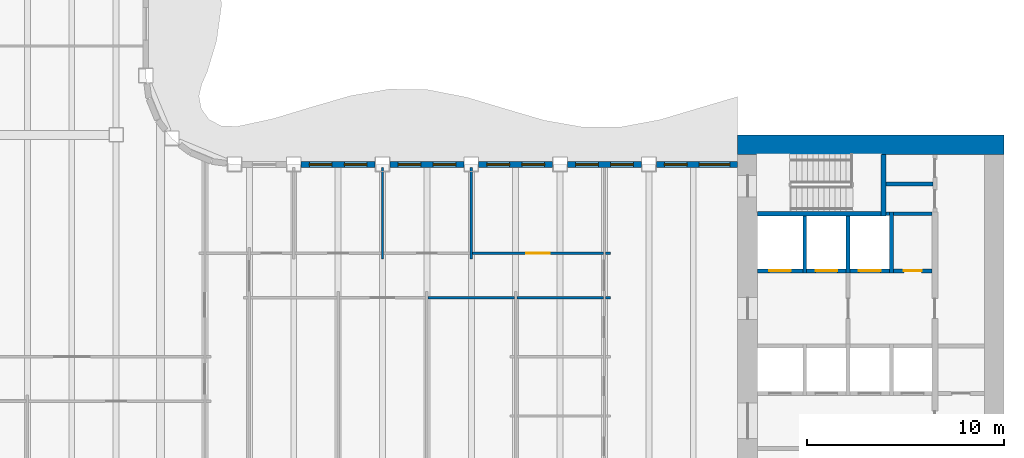
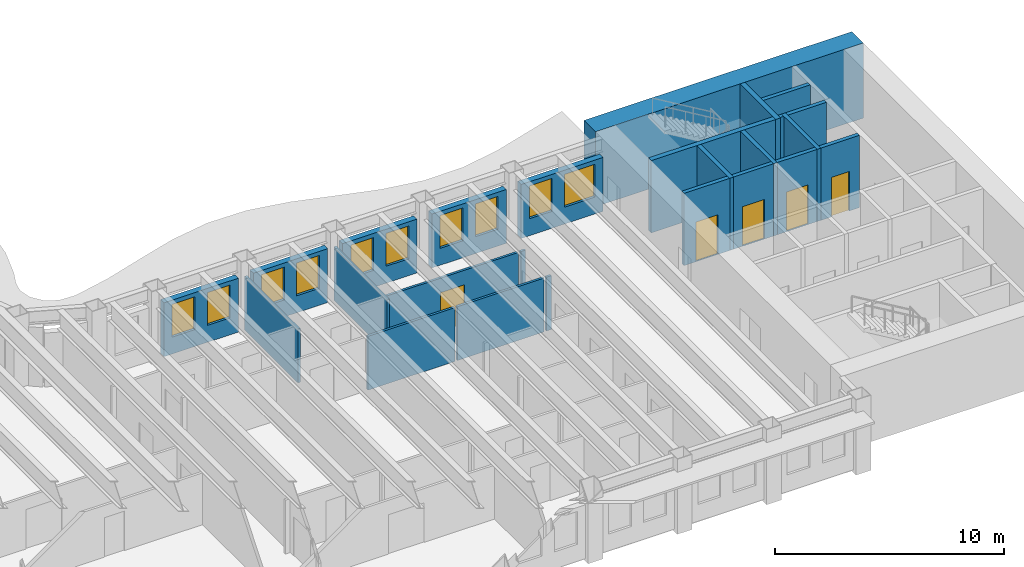
# One storey, part 7 of 16: 25 walls, 10 windows, 5 doors, 15 openings.
"""IFC4 building model written with IfcOpenShell, lengths in metres."""

import ifcopenshell
import ifcopenshell.guid

model = None  # the IFC model being written
_history = None  # IfcOwnerHistory: only IFC2X3 demands one
_inside = {}  # id of a spatial element -> (the spatial element, [elements in it])
_under = {}  # id of a project, library or spatial element -> (it, [spatial elements below it])
_declared = {}  # id of a project -> (the project, [libraries it declares])
_typed = {}  # id of a type object -> (the type object, [elements of that type])
_made_of = {}  # id of a material, layer set ... -> (it, [elements and type objects made of it])


def new_model(schema):
    """Start an empty IFC model of exactly this schema.

    Asked for "IFC4X3", IfcOpenShell would pick the latest addendum, in which some entities
    have other attributes; the version numbers below select the first issue.
    IFC2X3 requires an IfcOwnerHistory on every rooted entity: one is made here for all.
    """
    global model, _history
    if schema == "IFC4X3":
        model = ifcopenshell.file(schema_version=(4, 3, 0, 0))
    else:
        model = ifcopenshell.file(schema=schema)
    _inside.clear()
    _under.clear()
    _declared.clear()
    _typed.clear()
    _made_of.clear()
    _history = None
    if model.schema == "IFC2X3":
        org = make("IfcOrganization", Name="unknown")
        user = make(
            "IfcPersonAndOrganization",
            ThePerson=make("IfcPerson", FamilyName="unknown"),
            TheOrganization=org,
        )
        app = make(
            "IfcApplication",
            ApplicationDeveloper=org,
            Version="unknown",
            ApplicationFullName="unknown",
            ApplicationIdentifier="unknown",
        )
        _history = make(
            "IfcOwnerHistory",
            OwningUser=user,
            OwningApplication=app,
            ChangeAction="ADDED",
            CreationDate=0,
        )
    return model


def make(cls, **values):
    """One entity of the class cls with the attributes given. An attribute that is None is left unset."""
    return model.create_entity(
        cls, **{name: value for name, value in values.items() if value is not None}
    )


def rooted(cls, **values):
    """An entity with a GlobalId (a new one), such as an element, a storey or a relation."""
    return make(cls, GlobalId=ifcopenshell.guid.new(), OwnerHistory=_history, **values)


def si_unit(unit_type, name, prefix=None):
    """IfcSIUnit, for example si_unit("LENGTHUNIT", "METRE", prefix="MILLI")."""
    return make("IfcSIUnit", UnitType=unit_type, Prefix=prefix, Name=name)


def assignment(units):
    """IfcUnitAssignment: the units of a project."""
    return None if units is None else make("IfcUnitAssignment", Units=units)


def point(xyz):
    """IfcCartesianPoint."""
    return None if xyz is None else make("IfcCartesianPoint", Coordinates=xyz)


def direction(xyz):
    """IfcDirection."""
    return None if xyz is None else make("IfcDirection", DirectionRatios=xyz)


def frame(location, z_axis=None, x_axis=None):
    """IfcAxis2Placement3D, a coordinate frame: its origin and axes. An axis left out is left unset."""
    return make(
        "IfcAxis2Placement3D",
        Location=point(location),
        Axis=direction(z_axis),
        RefDirection=direction(x_axis),
    )


def frame_2d(location, x_axis=None):
    """IfcAxis2Placement2D, a coordinate frame in the plane: its origin and x axis."""
    return make(
        "IfcAxis2Placement2D", Location=point(location), RefDirection=direction(x_axis)
    )


def origin():
    """The frame at (0, 0, 0) with its axes left unset."""
    return frame((0.0, 0.0, 0.0))


def place(relative_to, where):
    """IfcLocalPlacement: puts the frame where relative to a parent placement (None: the world)."""
    return make(
        "IfcLocalPlacement", PlacementRelTo=relative_to, RelativePlacement=where
    )


def context(
    kind, dimensions, precision=None, world=None, true_north=None, identifier=None
):
    """IfcGeometricRepresentationContext, for example the 3D "Model" context."""
    return make(
        "IfcGeometricRepresentationContext",
        ContextIdentifier=identifier,
        ContextType=kind,
        CoordinateSpaceDimension=dimensions,
        Precision=precision,
        WorldCoordinateSystem=world,
        TrueNorth=true_north,
    )


def subcontext(parent, identifier, kind, view, scale=None):
    """IfcGeometricRepresentationSubContext, for example "Body" below "Model"."""
    return make(
        "IfcGeometricRepresentationSubContext",
        ContextIdentifier=identifier,
        ContextType=kind,
        ParentContext=parent,
        TargetScale=scale,
        TargetView=view,
    )


def project(units=None, contexts=None):
    """IfcProject with its units and contexts."""
    return rooted(
        "IfcProject",
        Name="project",
        RepresentationContexts=contexts,
        UnitsInContext=assignment(units),
    )


def spatial(cls, under=None, at=None, **own):
    """A site, building, storey or space (cls), placed at a placement, below another one or the project."""
    s = rooted(cls, ObjectPlacement=at, **own)
    if under is not None:
        _under.setdefault(under.id(), (under, []))[1].append(s)
    return s


def profile(cls, at=None, kind="AREA", **sizes):
    """A parametric profile (cls). Its sizes go by their IFC names, for example OverallWidth=200.0."""
    return make(cls, ProfileType=kind, Position=at, **sizes)


def rectangle(**sizes):
    """IfcRectangleProfileDef."""
    return profile("IfcRectangleProfileDef", **sizes)


def extrude(swept, where, along, depth):
    """IfcExtrudedAreaSolid: the profile swept, set in the frame where, extruded along a direction by depth."""
    return make(
        "IfcExtrudedAreaSolid",
        SweptArea=swept,
        Position=where,
        ExtrudedDirection=direction(along),
        Depth=depth,
    )


def shape(context_of_items, identifier, shape_type, items):
    """IfcShapeRepresentation: the items that make up one representation, for example the "Body"."""
    return make(
        "IfcShapeRepresentation",
        ContextOfItems=context_of_items,
        RepresentationIdentifier=identifier,
        RepresentationType=shape_type,
        Items=items,
    )


def material(Name=None, Category=None):
    """IfcMaterial."""
    return make("IfcMaterial", Name=Name, Category=Category)


def layer(
    of_material, thickness, ventilated=None, Name=None, Category=None, Priority=None
):
    """IfcMaterialLayer: one layer of a wall or slab, of a material (None: an air gap)."""
    return make(
        "IfcMaterialLayer",
        Material=of_material,
        LayerThickness=thickness,
        IsVentilated=ventilated,
        Name=Name,
        Category=Category,
        Priority=Priority,
    )


def layer_set(layers, Name=None):
    """IfcMaterialLayerSet."""
    return make("IfcMaterialLayerSet", MaterialLayers=layers, LayerSetName=Name)


def made_of(thing, what):
    """Note that an element or type object is made of a material, layer set ...; save() writes the relation."""
    if what is not None:
        _made_of.setdefault(what.id(), (what, []))[1].append(thing)
    return thing


def type_object(cls, material=None, **own):
    """A type object (cls), such as IfcWallType, which elements share."""
    return made_of(rooted(cls, **own), material)


def element(
    cls,
    number,
    at=None,
    inside=None,
    cuts=None,
    type_object=None,
    material=None,
    context=None,
    identifier="Body",
    shape_type=None,
    held_by="IfcProductDefinitionShape",
    body=None,
    shapes=None,
    **own,
):
    """One element of the class cls, such as IfcWall. Its Tag is "e" and its number.

    at: its placement. inside: the storey or other place that contains it. cuts: it is an
    opening in that element (IfcRelVoidsElement). A single representation is given by context,
    identifier, shape_type and body (its items); several are given by shapes. held_by: the class
    of the entity that holds the representations. save() writes the other relations.
    """
    e = rooted(cls, Tag="e%d" % number, ObjectPlacement=at, **own)
    if body is not None:
        shapes = [shape(context, identifier, shape_type, body)]
    if shapes is not None:
        e.Representation = make(held_by, Representations=shapes)
    if inside is not None:
        _inside.setdefault(inside.id(), (inside, []))[1].append(e)
    if cuts is not None:
        rooted(
            "IfcRelVoidsElement", RelatingBuildingElement=cuts, RelatedOpeningElement=e
        )
    if type_object is not None:
        _typed.setdefault(type_object.id(), (type_object, []))[1].append(e)
    return made_of(e, material)


def fill(opening, filler):
    """IfcRelFillsElement: the door or window that sits in an opening."""
    return rooted(
        "IfcRelFillsElement",
        RelatingOpeningElement=opening,
        RelatedBuildingElement=filler,
    )


def aggregate(whole, parts):
    """IfcRelAggregates: a whole, such as a stair, and the parts it consists of."""
    return rooted("IfcRelAggregates", RelatingObject=whole, RelatedObjects=parts)


def save(model, path):
    """Write the relations noted so far, then the file.

    IfcRelAggregates (storeys below a building ...), IfcRelContainedInSpatialStructure (elements
    in a storey), IfcRelDefinesByType, IfcRelAssociatesMaterial and IfcRelDeclares: one each for
    every whole, place, type object, material and project.
    """
    for whole, parts in _under.values():
        aggregate(whole, parts)
    for where, things in _inside.values():
        rooted(
            "IfcRelContainedInSpatialStructure",
            RelatedElements=things,
            RelatingStructure=where,
        )
    for kind, things in _typed.values():
        rooted("IfcRelDefinesByType", RelatedObjects=things, RelatingType=kind)
    for what, things in _made_of.values():
        rooted("IfcRelAssociatesMaterial", RelatedObjects=things, RelatingMaterial=what)
    for by, libraries in _declared.values():
        rooted("IfcRelDeclares", RelatingContext=by, RelatedDefinitions=libraries)
    model.write(path)


model = new_model("IFC4")

# Units and contexts
model_context = context("Model", 3, precision=1e-05, world=origin(), true_north=direction((0.0, 1.0)))
body_context = subcontext(model_context, "Body", "Model", "MODEL_VIEW")
ifc_project = project(units=[si_unit("LENGTHUNIT", "METRE"), si_unit("AREAUNIT", "SQUARE_METRE"), si_unit("VOLUMEUNIT", "CUBIC_METRE"), si_unit("PLANEANGLEUNIT", "RADIAN"), si_unit("MASSUNIT", "GRAM", prefix="KILO")], contexts=[model_context])

# Site, building, storey
site_placement = place(None, origin())
site = spatial("IfcSite", under=ifc_project, at=site_placement, CompositionType="ELEMENT")
building_placement = place(site_placement, origin())
building = spatial("IfcBuilding", under=site, at=building_placement, Name="Sennacour Bend Tower", CompositionType="ELEMENT")
storey_placement = place(building_placement, frame((0.0, 0.0, 227.0)))
storey = spatial("IfcBuildingStorey", under=building, at=storey_placement, Name="L52", CompositionType="ELEMENT", Elevation=227.0)

# Walls
ifc_material_1 = material(Name="Concrete C60/75", Category="concrete")
ifc_layer_1 = layer(ifc_material_1, 1.0, Name="Concrete C60/75", Category="concrete")
ifc_layer_set_1 = layer_set([ifc_layer_1], Name="Concrete C60/75")
wall_type_1 = type_object("IfcWallType", Name="Core wall 1000 C60/75", PredefinedType="SHEAR", material=ifc_layer_set_1)
wall_1_placement = place(storey_placement, frame((54.0, 22.0, -0.14990234375), z_axis=(0.0, 0.0, 1.0), x_axis=(1.0, 0.0, 0.0)))
element("IfcWall", 1, at=wall_1_placement, inside=storey, type_object=wall_type_1, Name="Core A wall L52 N", PredefinedType="SHEAR", context=body_context, shape_type="SweptSolid", body=[
    extrude(rectangle(XDim=13.5, YDim=1.0, at=frame_2d((6.75, 0.0))), origin(), (0.0, 0.0, 1.0), 4.0),
])
ifc_material_2 = material(Name="Plasterboard partition on steel studs", Category="steel")
ifc_layer_2 = layer(ifc_material_2, 0.1201171875, Name="Plasterboard partition on steel studs", Category="steel")
ifc_layer_set_2 = layer_set([ifc_layer_2], Name="Plasterboard partition on steel studs")
wall_type_2 = type_object("IfcWallType", Name="Partition 120", PredefinedType="PARTITIONING", material=ifc_layer_set_2)
for number, where, z_axis, x_axis, name in (
    (2, (36.0, 16.199951171875, 0.0), (0.0, 0.0, 1.0), (0.0, 1.0, 0.0), "P-L52-W030a"),
    (3, (40.5, 16.199951171875, 0.0), (0.0, 0.0, 1.0), (0.0, 1.0, 0.0), "P-L52-W033a"),
):
    element("IfcWall", number, at=place(storey_placement, frame(where, z_axis=z_axis, x_axis=x_axis)), inside=storey, type_object=wall_type_2, Name=name, PredefinedType="PARTITIONING", context=body_context, shape_type="SweptSolid", body=[
        extrude(rectangle(XDim=4.650146484375, YDim=0.1201171875, at=frame_2d((2.3251953125, 0.0))), origin(), (0.0, 0.0, 1.0), 2.8701171875),
    ])
for number, where, z_axis, x_axis, name in (
    (4, (38.31005859375, 14.25, 0.0), (0.0, 0.0, 1.0), (1.0, 0.0, 0.0), "P-L52-W069ad"),
    (5, (42.81005859375, 14.25, 0.0), (0.0, 0.0, 1.0), (1.0, 0.0, 0.0), "P-L52-W069ae"),
):
    element("IfcWall", number, at=place(storey_placement, frame(where, z_axis=z_axis, x_axis=x_axis)), inside=storey, type_object=wall_type_2, Name=name, PredefinedType="PARTITIONING", context=body_context, shape_type="SweptSolid", body=[
        extrude(rectangle(XDim=4.3798828125, YDim=0.1201171875, at=frame_2d((2.18994140625, 0.0))), origin(), (0.0, 0.0, 1.0), 2.8701171875),
    ])
wall_2_placement = place(storey_placement, frame((47.31005859375, 14.25, 0.0), z_axis=(0.0, 0.0, 1.0), x_axis=(1.0, 0.0, 0.0)))
element("IfcWall", 6, at=wall_2_placement, inside=storey, type_object=wall_type_2, Name="P-L52-W069af", PredefinedType="PARTITIONING", context=body_context, shape_type="SweptSolid", body=[
    extrude(rectangle(XDim=0.239990234375, YDim=0.1201171875, at=frame_2d((0.1201171875, 0.0))), origin(), (0.0, 0.0, 1.0), 2.8701171875),
])

# Wall, opening, door
wall_3_placement = place(storey_placement, frame((40.56005859375, 16.5, 0.0), z_axis=(0.0, 0.0, 1.0), x_axis=(1.0, 0.0, 0.0)))
wall_3 = element("IfcWall", 7, at=wall_3_placement, inside=storey, type_object=wall_type_2, Name="P-L52-W072af", PredefinedType="PARTITIONING", context=body_context, shape_type="SweptSolid", body=[
    extrude(rectangle(XDim=6.6298828125, YDim=0.1201171875, at=frame_2d((3.31494140625, 0.0))), origin(), (0.0, 0.0, 1.0), 2.8701171875),
])
opening_1_placement = place(wall_3_placement, frame((2.71484375, 0.0, 0.0)))
opening_1 = element("IfcOpeningElement", 8, at=opening_1_placement, cuts=wall_3, Name="Opening OD", PredefinedType="OPENING", context=body_context, shape_type="SweptSolid", body=[
    extrude(rectangle(XDim=1.199951171875, YDim=2.10009765625, at=frame_2d((0.60009765625, 1.050048828125))), frame((0.0, 0.070068359375, 0.0), z_axis=(0.0, -1.0, 0.0), x_axis=(1.0, 0.0, 0.0)), (0.0, 0.0, 1.0), 0.14013671875),
])
ifc_material_3 = material(Name="Timber", Category="wood")
door_type_1 = type_object("IfcDoorType", Name="DR-OFFICE-1200", OperationType="NOTDEFINED", PredefinedType="DOOR", material=ifc_material_3)
door_1_placement = place(opening_1_placement, origin())
door_1 = element("IfcDoor", 9, at=door_1_placement, inside=storey, type_object=door_type_1, Name="Door", OperationType="SINGLE_SWING_LEFT", OverallHeight=2.10009765625, OverallWidth=1.199951171875, PredefinedType="DOOR", context=body_context, shape_type="SweptSolid", body=[
    extrude(rectangle(XDim=1.199951171875, YDim=2.10009765625, at=frame_2d((0.60009765625, 1.050048828125))), frame((0.0, 0.02490234375, 0.0), z_axis=(0.0, -1.0, 0.0), x_axis=(1.0, 0.0, 0.0)), (0.0, 0.0, 1.0), 0.050048828125),
])
fill(opening_1, door_1)

# Wall
wall_4_placement = place(storey_placement, frame((47.31005859375, 16.5, 0.0), z_axis=(0.0, 0.0, 1.0), x_axis=(1.0, 0.0, 0.0)))
element("IfcWall", 10, at=wall_4_placement, inside=storey, type_object=wall_type_2, Name="P-L52-W072ag", PredefinedType="PARTITIONING", context=body_context, shape_type="SweptSolid", body=[
    extrude(rectangle(XDim=0.239990234375, YDim=0.1201171875, at=frame_2d((0.1201171875, 0.0))), origin(), (0.0, 0.0, 1.0), 2.8701171875),
])

# Wall, opening, door
ifc_material_4 = material(Name="Fire-rated plasterboard partition on steel studs", Category="steel")
ifc_layer_3 = layer(ifc_material_4, 0.199951171875, Name="Fire-rated plasterboard partition on steel studs", Category="steel")
ifc_layer_set_3 = layer_set([ifc_layer_3], Name="Fire-rated plasterboard partition on steel studs")
wall_type_3 = type_object("IfcWallType", Name="Rated partition 200", PredefinedType="PARTITIONING", material=ifc_layer_set_3)
wall_5_placement = place(storey_placement, frame((61.89990234375, 15.60009765625, 0.0), z_axis=(0.0, 0.0, 1.0), x_axis=(1.0, 0.0, 0.0)))
wall_5 = element("IfcWall", 11, at=wall_5_placement, inside=storey, type_object=wall_type_3, Name="P-L52-W071", PredefinedType="PARTITIONING", context=body_context, shape_type="SweptSolid", body=[
    extrude(rectangle(XDim=1.9501953125, YDim=0.199951171875, at=frame_2d((0.97509765625, 0.0))), origin(), (0.0, 0.0, 1.0), 3.85009765625),
])
opening_2_placement = place(wall_5_placement, frame((0.525146484375, 0.0, 0.0)))
opening_2 = element("IfcOpeningElement", 12, at=opening_2_placement, cuts=wall_5, Name="Opening SV", PredefinedType="OPENING", context=body_context, shape_type="SweptSolid", body=[
    extrude(rectangle(XDim=0.89990234375, YDim=2.10009765625, at=frame_2d((0.449951171875, 1.050048828125))), frame((0.0, 0.10986328125, 0.0), z_axis=(0.0, -1.0, 0.0), x_axis=(1.0, 0.0, 0.0)), (0.0, 0.0, 1.0), 0.219970703125),
])
ifc_material_5 = material(Name="Painted steel", Category="steel")
door_type_2 = type_object("IfcDoorType", Name="DR-SERVICE-900", OperationType="NOTDEFINED", PredefinedType="DOOR", material=ifc_material_5)
door_2_placement = place(opening_2_placement, origin())
door_2 = element("IfcDoor", 13, at=door_2_placement, inside=storey, type_object=door_type_2, Name="Door", OperationType="SINGLE_SWING_LEFT", OverallHeight=2.10009765625, OverallWidth=0.89990234375, PredefinedType="DOOR", context=body_context, shape_type="SweptSolid", body=[
    extrude(rectangle(XDim=0.89990234375, YDim=2.10009765625, at=frame_2d((0.449951171875, 1.050048828125))), frame((0.0, 0.02490234375, 0.0), z_axis=(0.0, -1.0, 0.0), x_axis=(1.0, 0.0, 0.0)), (0.0, 0.0, 1.0), 0.050048828125),
])
fill(opening_2, door_2)

# Walls
wall_6_placement = place(storey_placement, frame((61.89990234375, 18.5, 0.0), z_axis=(0.0, 0.0, 1.0), x_axis=(1.0, 0.0, 0.0)))
element("IfcWall", 14, at=wall_6_placement, inside=storey, type_object=wall_type_3, Name="P-L52-W076", PredefinedType="PARTITIONING", context=body_context, shape_type="SweptSolid", body=[
    extrude(rectangle(XDim=1.9501953125, YDim=0.199951171875, at=frame_2d((0.97509765625, 0.0))), origin(), (0.0, 0.0, 1.0), 3.85009765625),
])
wall_7_placement = place(storey_placement, frame((61.52490234375, 20.0, 0.0), z_axis=(0.0, 0.0, 1.0), x_axis=(1.0, 0.0, 0.0)))
element("IfcWall", 15, at=wall_7_placement, inside=storey, type_object=wall_type_3, Name="P-L52-W077", PredefinedType="PARTITIONING", context=body_context, shape_type="SweptSolid", body=[
    extrude(rectangle(XDim=2.375, YDim=0.199951171875, at=frame_2d((1.1875, 0.0))), origin(), (0.0, 0.0, 1.0), 3.85009765625),
])

# Wall, openings, windows
ifc_material_6 = material(Name="Warm limestone cladding", Category="masonry")
ifc_layer_4 = layer(ifc_material_6, 0.050048828125, Name="Warm limestone cladding", Category="masonry")
ifc_material_7 = material(Name="Precast concrete C40/50", Category="concrete")
ifc_layer_5 = layer(ifc_material_7, 0.25, Name="Precast concrete C40/50", Category="concrete")
ifc_layer_set_4 = layer_set([ifc_layer_4, ifc_layer_5], Name="Precast concrete C40/50 with limestone cladding")
wall_type_4 = type_object("IfcWallType", Name="STONE-CLAD PRECAST SPANDREL 300", PredefinedType="STANDARD", material=ifc_layer_set_4)
wall_8_placement = place(storey_placement, frame((54.0, 21.0, 0.0), z_axis=(0.0, 0.0, 1.0), x_axis=(-1.0, 0.0, 0.0)))
wall_8 = element("IfcWall", 16, at=wall_8_placement, inside=storey, type_object=wall_type_4, Name="Stone spandrel and pier wall L52 06.00", PredefinedType="STANDARD", context=body_context, shape_type="SweptSolid", body=[
    extrude(rectangle(XDim=4.125, YDim=0.300048828125, at=frame_2d((2.0625, 0.0))), origin(), (0.0, 0.0, 1.0), 2.8701171875),
])
opening_3_placement = place(wall_8_placement, frame((0.39990234375, 0.0, 0.89990234375)))
opening_3 = element("IfcOpeningElement", 17, at=opening_3_placement, cuts=wall_8, Name="Opening W12", PredefinedType="OPENING", context=body_context, shape_type="SweptSolid", body=[
    extrude(rectangle(XDim=1.550048828125, YDim=1.75, at=frame_2d((0.77490234375, 0.875))), frame((0.0, 0.16015625, 0.0), z_axis=(0.0, -1.0, 0.0), x_axis=(1.0, 0.0, 0.0)), (0.0, 0.0, 1.0), 0.320068359375),
])
opening_4_placement = place(wall_8_placement, frame((2.5625, 0.0, 0.89990234375)))
opening_4 = element("IfcOpeningElement", 18, at=opening_4_placement, cuts=wall_8, Name="Opening W23", PredefinedType="OPENING", context=body_context, shape_type="SweptSolid", body=[
    extrude(rectangle(XDim=1.14990234375, YDim=1.75, at=frame_2d((0.574951171875, 0.875))), frame((0.0, 0.16015625, 0.0), z_axis=(0.0, -1.0, 0.0), x_axis=(1.0, 0.0, 0.0)), (0.0, 0.0, 1.0), 0.320068359375),
])
ifc_material_8 = material(Name="Clear low-emissivity glass", Category="glass")
window_type_1 = type_object("IfcWindowType", Name="WIN-RIBBON-1150x1750", PartitioningType="SINGLE_PANEL", PredefinedType="WINDOW", material=ifc_material_8)
window_1_placement = place(opening_4_placement, origin())
window_1 = element("IfcWindow", 19, at=window_1_placement, inside=storey, type_object=window_type_1, Name="Ribbon window L52 06.00.1", OverallHeight=1.75, OverallWidth=1.14990234375, PartitioningType="SINGLE_PANEL", PredefinedType="WINDOW", context=body_context, shape_type="SweptSolid", body=[
    extrude(rectangle(XDim=1.14990234375, YDim=1.75, at=frame_2d((0.574951171875, 0.875))), frame((0.0, 0.030029296875, 0.0), z_axis=(0.0, -1.0, 0.0), x_axis=(1.0, 0.0, 0.0)), (0.0, 0.0, 1.0), 0.06005859375),
])
fill(opening_4, window_1)
window_type_2 = type_object("IfcWindowType", Name="WIN-RIBBON-1550x1750", PartitioningType="SINGLE_PANEL", PredefinedType="WINDOW", material=ifc_material_8)
window_2_placement = place(opening_3_placement, origin())
window_2 = element("IfcWindow", 20, at=window_2_placement, inside=storey, type_object=window_type_2, Name="Ribbon window L52 06.00.0", OverallHeight=1.75, OverallWidth=1.550048828125, PartitioningType="SINGLE_PANEL", PredefinedType="WINDOW", context=body_context, shape_type="SweptSolid", body=[
    extrude(rectangle(XDim=1.550048828125, YDim=1.75, at=frame_2d((0.77490234375, 0.875))), frame((0.0, 0.030029296875, 0.0), z_axis=(0.0, -1.0, 0.0), x_axis=(1.0, 0.0, 0.0)), (0.0, 0.0, 1.0), 0.06005859375),
])
fill(opening_3, window_2)

wall_9_placement = place(storey_placement, frame((49.125, 21.0, 0.0), z_axis=(0.0, 0.0, 1.0), x_axis=(-1.0, 0.0, 0.0)))
wall_9 = element("IfcWall", 21, at=wall_9_placement, inside=storey, type_object=wall_type_4, Name="Stone spandrel and pier wall L52 06.01", PredefinedType="STANDARD", context=body_context, shape_type="SweptSolid", body=[
    extrude(rectangle(XDim=3.75, YDim=0.300048828125, at=frame_2d((1.875, 0.0))), origin(), (0.0, 0.0, 1.0), 2.8701171875),
])
opening_5_placement = place(wall_9_placement, frame((0.41259765625, 0.0, 0.89990234375)))
opening_5 = element("IfcOpeningElement", 22, at=opening_5_placement, cuts=wall_9, Name="Opening W23", PredefinedType="OPENING", context=body_context, shape_type="SweptSolid", body=[
    extrude(rectangle(XDim=1.14990234375, YDim=1.75, at=frame_2d((0.574951171875, 0.875))), frame((0.0, 0.16015625, 0.0), z_axis=(0.0, -1.0, 0.0), x_axis=(1.0, 0.0, 0.0)), (0.0, 0.0, 1.0), 0.320068359375),
])
opening_6_placement = place(wall_9_placement, frame((2.1875, 0.0, 0.89990234375)))
opening_6 = element("IfcOpeningElement", 23, at=opening_6_placement, cuts=wall_9, Name="Opening W23", PredefinedType="OPENING", context=body_context, shape_type="SweptSolid", body=[
    extrude(rectangle(XDim=1.14990234375, YDim=1.75, at=frame_2d((0.574951171875, 0.875))), frame((0.0, 0.16015625, 0.0), z_axis=(0.0, -1.0, 0.0), x_axis=(1.0, 0.0, 0.0)), (0.0, 0.0, 1.0), 0.320068359375),
])
window_3_placement = place(opening_5_placement, origin())
window_3 = element("IfcWindow", 24, at=window_3_placement, inside=storey, type_object=window_type_1, Name="Ribbon window L52 06.01.0", OverallHeight=1.75, OverallWidth=1.14990234375, PartitioningType="SINGLE_PANEL", PredefinedType="WINDOW", context=body_context, shape_type="SweptSolid", body=[
    extrude(rectangle(XDim=1.14990234375, YDim=1.75, at=frame_2d((0.574951171875, 0.875))), frame((0.0, 0.030029296875, 0.0), z_axis=(0.0, -1.0, 0.0), x_axis=(1.0, 0.0, 0.0)), (0.0, 0.0, 1.0), 0.06005859375),
])
fill(opening_5, window_3)
window_4_placement = place(opening_6_placement, origin())
window_4 = element("IfcWindow", 25, at=window_4_placement, inside=storey, type_object=window_type_1, Name="Ribbon window L52 06.01.1", OverallHeight=1.75, OverallWidth=1.14990234375, PartitioningType="SINGLE_PANEL", PredefinedType="WINDOW", context=body_context, shape_type="SweptSolid", body=[
    extrude(rectangle(XDim=1.14990234375, YDim=1.75, at=frame_2d((0.574951171875, 0.875))), frame((0.0, 0.030029296875, 0.0), z_axis=(0.0, -1.0, 0.0), x_axis=(1.0, 0.0, 0.0)), (0.0, 0.0, 1.0), 0.06005859375),
])
fill(opening_6, window_4)

wall_10_placement = place(storey_placement, frame((44.625, 21.0, 0.0), z_axis=(0.0, 0.0, 1.0), x_axis=(-1.0, 0.0, 0.0)))
wall_10 = element("IfcWall", 26, at=wall_10_placement, inside=storey, type_object=wall_type_4, Name="Stone spandrel and pier wall L52 06.02", PredefinedType="STANDARD", context=body_context, shape_type="SweptSolid", body=[
    extrude(rectangle(XDim=3.75, YDim=0.300048828125, at=frame_2d((1.875, 0.0))), origin(), (0.0, 0.0, 1.0), 2.8701171875),
])
opening_7_placement = place(wall_10_placement, frame((0.41259765625, 0.0, 0.89990234375)))
opening_7 = element("IfcOpeningElement", 27, at=opening_7_placement, cuts=wall_10, Name="Opening W23", PredefinedType="OPENING", context=body_context, shape_type="SweptSolid", body=[
    extrude(rectangle(XDim=1.14990234375, YDim=1.75, at=frame_2d((0.574951171875, 0.875))), frame((0.0, 0.16015625, 0.0), z_axis=(0.0, -1.0, 0.0), x_axis=(1.0, 0.0, 0.0)), (0.0, 0.0, 1.0), 0.320068359375),
])
opening_8_placement = place(wall_10_placement, frame((2.1875, 0.0, 0.89990234375)))
opening_8 = element("IfcOpeningElement", 28, at=opening_8_placement, cuts=wall_10, Name="Opening W23", PredefinedType="OPENING", context=body_context, shape_type="SweptSolid", body=[
    extrude(rectangle(XDim=1.14990234375, YDim=1.75, at=frame_2d((0.574951171875, 0.875))), frame((0.0, 0.16015625, 0.0), z_axis=(0.0, -1.0, 0.0), x_axis=(1.0, 0.0, 0.0)), (0.0, 0.0, 1.0), 0.320068359375),
])
window_5_placement = place(opening_7_placement, origin())
window_5 = element("IfcWindow", 29, at=window_5_placement, inside=storey, type_object=window_type_1, Name="Ribbon window L52 06.02.0", OverallHeight=1.75, OverallWidth=1.14990234375, PartitioningType="SINGLE_PANEL", PredefinedType="WINDOW", context=body_context, shape_type="SweptSolid", body=[
    extrude(rectangle(XDim=1.14990234375, YDim=1.75, at=frame_2d((0.574951171875, 0.875))), frame((0.0, 0.030029296875, 0.0), z_axis=(0.0, -1.0, 0.0), x_axis=(1.0, 0.0, 0.0)), (0.0, 0.0, 1.0), 0.06005859375),
])
fill(opening_7, window_5)
window_6_placement = place(opening_8_placement, origin())
window_6 = element("IfcWindow", 30, at=window_6_placement, inside=storey, type_object=window_type_1, Name="Ribbon window L52 06.02.1", OverallHeight=1.75, OverallWidth=1.14990234375, PartitioningType="SINGLE_PANEL", PredefinedType="WINDOW", context=body_context, shape_type="SweptSolid", body=[
    extrude(rectangle(XDim=1.14990234375, YDim=1.75, at=frame_2d((0.574951171875, 0.875))), frame((0.0, 0.030029296875, 0.0), z_axis=(0.0, -1.0, 0.0), x_axis=(1.0, 0.0, 0.0)), (0.0, 0.0, 1.0), 0.06005859375),
])
fill(opening_8, window_6)

wall_11_placement = place(storey_placement, frame((40.125, 21.0, 0.0), z_axis=(0.0, 0.0, 1.0), x_axis=(-1.0, 0.0, 0.0)))
wall_11 = element("IfcWall", 31, at=wall_11_placement, inside=storey, type_object=wall_type_4, Name="Stone spandrel and pier wall L52 06.03", PredefinedType="STANDARD", context=body_context, shape_type="SweptSolid", body=[
    extrude(rectangle(XDim=3.75, YDim=0.300048828125, at=frame_2d((1.875, 0.0))), origin(), (0.0, 0.0, 1.0), 2.8701171875),
])
opening_9_placement = place(wall_11_placement, frame((0.41259765625, 0.0, 0.89990234375)))
opening_9 = element("IfcOpeningElement", 32, at=opening_9_placement, cuts=wall_11, Name="Opening W23", PredefinedType="OPENING", context=body_context, shape_type="SweptSolid", body=[
    extrude(rectangle(XDim=1.14990234375, YDim=1.75, at=frame_2d((0.574951171875, 0.875))), frame((0.0, 0.16015625, 0.0), z_axis=(0.0, -1.0, 0.0), x_axis=(1.0, 0.0, 0.0)), (0.0, 0.0, 1.0), 0.320068359375),
])
opening_10_placement = place(wall_11_placement, frame((2.1875, 0.0, 0.89990234375)))
opening_10 = element("IfcOpeningElement", 33, at=opening_10_placement, cuts=wall_11, Name="Opening W23", PredefinedType="OPENING", context=body_context, shape_type="SweptSolid", body=[
    extrude(rectangle(XDim=1.14990234375, YDim=1.75, at=frame_2d((0.574951171875, 0.875))), frame((0.0, 0.16015625, 0.0), z_axis=(0.0, -1.0, 0.0), x_axis=(1.0, 0.0, 0.0)), (0.0, 0.0, 1.0), 0.320068359375),
])
window_7_placement = place(opening_9_placement, origin())
window_7 = element("IfcWindow", 34, at=window_7_placement, inside=storey, type_object=window_type_1, Name="Ribbon window L52 06.03.0", OverallHeight=1.75, OverallWidth=1.14990234375, PartitioningType="SINGLE_PANEL", PredefinedType="WINDOW", context=body_context, shape_type="SweptSolid", body=[
    extrude(rectangle(XDim=1.14990234375, YDim=1.75, at=frame_2d((0.574951171875, 0.875))), frame((0.0, 0.030029296875, 0.0), z_axis=(0.0, -1.0, 0.0), x_axis=(1.0, 0.0, 0.0)), (0.0, 0.0, 1.0), 0.06005859375),
])
fill(opening_9, window_7)
window_8_placement = place(opening_10_placement, origin())
window_8 = element("IfcWindow", 35, at=window_8_placement, inside=storey, type_object=window_type_1, Name="Ribbon window L52 06.03.1", OverallHeight=1.75, OverallWidth=1.14990234375, PartitioningType="SINGLE_PANEL", PredefinedType="WINDOW", context=body_context, shape_type="SweptSolid", body=[
    extrude(rectangle(XDim=1.14990234375, YDim=1.75, at=frame_2d((0.574951171875, 0.875))), frame((0.0, 0.030029296875, 0.0), z_axis=(0.0, -1.0, 0.0), x_axis=(1.0, 0.0, 0.0)), (0.0, 0.0, 1.0), 0.06005859375),
])
fill(opening_10, window_8)

wall_12_placement = place(storey_placement, frame((35.625, 21.0, 0.0), z_axis=(0.0, 0.0, 1.0), x_axis=(-1.0, 0.0, 0.0)))
wall_12 = element("IfcWall", 36, at=wall_12_placement, inside=storey, type_object=wall_type_4, Name="Stone spandrel and pier wall L52 06.04", PredefinedType="STANDARD", context=body_context, shape_type="SweptSolid", body=[
    extrude(rectangle(XDim=3.75, YDim=0.300048828125, at=frame_2d((1.875, 0.0))), origin(), (0.0, 0.0, 1.0), 2.8701171875),
])
opening_11_placement = place(wall_12_placement, frame((0.41259765625, 0.0, 0.89990234375)))
opening_11 = element("IfcOpeningElement", 37, at=opening_11_placement, cuts=wall_12, Name="Opening W23", PredefinedType="OPENING", context=body_context, shape_type="SweptSolid", body=[
    extrude(rectangle(XDim=1.14990234375, YDim=1.75, at=frame_2d((0.574951171875, 0.875))), frame((0.0, 0.16015625, 0.0), z_axis=(0.0, -1.0, 0.0), x_axis=(1.0, 0.0, 0.0)), (0.0, 0.0, 1.0), 0.320068359375),
])
opening_12_placement = place(wall_12_placement, frame((2.1875, 0.0, 0.89990234375)))
opening_12 = element("IfcOpeningElement", 38, at=opening_12_placement, cuts=wall_12, Name="Opening W23", PredefinedType="OPENING", context=body_context, shape_type="SweptSolid", body=[
    extrude(rectangle(XDim=1.14990234375, YDim=1.75, at=frame_2d((0.574951171875, 0.875))), frame((0.0, 0.16015625, 0.0), z_axis=(0.0, -1.0, 0.0), x_axis=(1.0, 0.0, 0.0)), (0.0, 0.0, 1.0), 0.320068359375),
])
window_9_placement = place(opening_11_placement, origin())
window_9 = element("IfcWindow", 39, at=window_9_placement, inside=storey, type_object=window_type_1, Name="Ribbon window L52 06.04.0", OverallHeight=1.75, OverallWidth=1.14990234375, PartitioningType="SINGLE_PANEL", PredefinedType="WINDOW", context=body_context, shape_type="SweptSolid", body=[
    extrude(rectangle(XDim=1.14990234375, YDim=1.75, at=frame_2d((0.574951171875, 0.875))), frame((0.0, 0.030029296875, 0.0), z_axis=(0.0, -1.0, 0.0), x_axis=(1.0, 0.0, 0.0)), (0.0, 0.0, 1.0), 0.06005859375),
])
fill(opening_11, window_9)
window_10_placement = place(opening_12_placement, origin())
window_10 = element("IfcWindow", 40, at=window_10_placement, inside=storey, type_object=window_type_1, Name="Ribbon window L52 06.04.1", OverallHeight=1.75, OverallWidth=1.14990234375, PartitioningType="SINGLE_PANEL", PredefinedType="WINDOW", context=body_context, shape_type="SweptSolid", body=[
    extrude(rectangle(XDim=1.14990234375, YDim=1.75, at=frame_2d((0.574951171875, 0.875))), frame((0.0, 0.030029296875, 0.0), z_axis=(0.0, -1.0, 0.0), x_axis=(1.0, 0.0, 0.0)), (0.0, 0.0, 1.0), 0.06005859375),
])
fill(opening_12, window_10)

# Walls
ifc_material_9 = material(Name="Concrete C50/60", Category="concrete")
ifc_layer_6 = layer(ifc_material_9, 0.199951171875, Name="Concrete C50/60", Category="concrete")
ifc_layer_set_5 = layer_set([ifc_layer_6], Name="Concrete C50/60")
wall_type_5 = type_object("IfcWallType", Name="Shaft wall 200", PredefinedType="SOLIDWALL", material=ifc_layer_set_5)
for number, where, z_axis, x_axis, name in (
    (41, (57.39990234375, 15.5, 0.0), (0.0, 0.0, 1.0), (0.0, 1.0, 0.0), "P-L52-W039"),
    (42, (59.60009765625, 15.5, 0.0), (0.0, 0.0, 1.0), (0.0, 1.0, 0.0), "P-L52-W042"),
):
    element("IfcWall", number, at=place(storey_placement, frame(where, z_axis=z_axis, x_axis=x_axis)), inside=storey, type_object=wall_type_5, Name=name, PredefinedType="SOLIDWALL", context=body_context, shape_type="SweptSolid", body=[
        extrude(rectangle(XDim=2.875, YDim=0.199951171875, at=frame_2d((1.4375, 0.0))), origin(), (0.0, 0.0, 1.0), 3.85009765625),
    ])
wall_13_placement = place(storey_placement, frame((61.800048828125, 15.5, 0.0), z_axis=(0.0, 0.0, 1.0), x_axis=(0.0, 1.0, 0.0)))
element("IfcWall", 43, at=wall_13_placement, inside=storey, type_object=wall_type_5, Name="P-L52-W046", PredefinedType="SOLIDWALL", context=body_context, shape_type="SweptSolid", body=[
    extrude(rectangle(XDim=3.10009765625, YDim=0.199951171875, at=frame_2d((1.550048828125, 0.0))), origin(), (0.0, 0.0, 1.0), 3.85009765625),
])

# Wall, opening, door
wall_14_placement = place(storey_placement, frame((55.0, 15.60009765625, 0.0), z_axis=(0.0, 0.0, 1.0), x_axis=(1.0, 0.0, 0.0)))
wall_14 = element("IfcWall", 44, at=wall_14_placement, inside=storey, type_object=wall_type_5, Name="P-L52-W070a", PredefinedType="SOLIDWALL", context=body_context, shape_type="SweptSolid", body=[
    extrude(rectangle(XDim=2.300048828125, YDim=0.199951171875, at=frame_2d((1.14990234375, 0.0))), origin(), (0.0, 0.0, 1.0), 3.85009765625),
])
opening_13_placement = place(wall_14_placement, frame((0.60009765625, 0.0, 0.011962890625)))
opening_13 = element("IfcOpeningElement", 45, at=opening_13_placement, cuts=wall_14, Name="Opening FLD", PredefinedType="OPENING", context=body_context, shape_type="SweptSolid", body=[
    extrude(rectangle(XDim=1.10009765625, YDim=2.10009765625, at=frame_2d((0.550048828125, 1.050048828125))), frame((0.0, 0.10986328125, 0.0), z_axis=(0.0, -1.0, 0.0), x_axis=(1.0, 0.0, 0.0)), (0.0, 0.0, 1.0), 0.219970703125),
])
ifc_material_10 = material(Name="Stainless steel", Category="steel")
door_type_3 = type_object("IfcDoorType", Name="DR-FF-LANDING-1100", OperationType="NOTDEFINED", PredefinedType="DOOR", material=ifc_material_10)
door_3_placement = place(opening_13_placement, origin())
door_3 = element("IfcDoor", 46, at=door_3_placement, inside=storey, type_object=door_type_3, Name="Fire service lift landing door FA1", OperationType="SLIDING_TO_LEFT", OverallHeight=2.10009765625, OverallWidth=1.10009765625, PredefinedType="DOOR", context=body_context, shape_type="SweptSolid", body=[
    extrude(rectangle(XDim=1.10009765625, YDim=2.10009765625, at=frame_2d((0.550048828125, 1.050048828125))), frame((0.0, 0.02490234375, 0.0), z_axis=(0.0, -1.0, 0.0), x_axis=(1.0, 0.0, 0.0)), (0.0, 0.0, 1.0), 0.050048828125),
])
fill(opening_13, door_3)

wall_15_placement = place(storey_placement, frame((57.5, 15.60009765625, 0.0), z_axis=(0.0, 0.0, 1.0), x_axis=(1.0, 0.0, 0.0)))
wall_15 = element("IfcWall", 47, at=wall_15_placement, inside=storey, type_object=wall_type_5, Name="P-L52-W070b", PredefinedType="SOLIDWALL", context=body_context, shape_type="SweptSolid", body=[
    extrude(rectangle(XDim=2.0, YDim=0.199951171875, at=frame_2d((1.0, 0.0))), origin(), (0.0, 0.0, 1.0), 3.85009765625),
])
opening_14_placement = place(wall_15_placement, frame((0.449951171875, 0.0, 0.011962890625)))
opening_14 = element("IfcOpeningElement", 48, at=opening_14_placement, cuts=wall_15, Name="Opening FLD", PredefinedType="OPENING", context=body_context, shape_type="SweptSolid", body=[
    extrude(rectangle(XDim=1.10009765625, YDim=2.10009765625, at=frame_2d((0.550048828125, 1.050048828125))), frame((0.0, 0.10986328125, 0.0), z_axis=(0.0, -1.0, 0.0), x_axis=(1.0, 0.0, 0.0)), (0.0, 0.0, 1.0), 0.219970703125),
])
door_4_placement = place(opening_14_placement, origin())
door_4 = element("IfcDoor", 49, at=door_4_placement, inside=storey, type_object=door_type_3, Name="Fire service lift landing door FA2", OperationType="SLIDING_TO_RIGHT", OverallHeight=2.10009765625, OverallWidth=1.10009765625, PredefinedType="DOOR", context=body_context, shape_type="SweptSolid", body=[
    extrude(rectangle(XDim=1.10009765625, YDim=2.10009765625, at=frame_2d((0.550048828125, 1.050048828125))), frame((0.0, 0.02490234375, 0.0), z_axis=(0.0, -1.0, 0.0), x_axis=(1.0, 0.0, 0.0)), (0.0, 0.0, 1.0), 0.050048828125),
])
fill(opening_14, door_4)

wall_16_placement = place(storey_placement, frame((59.699951171875, 15.60009765625, 0.0), z_axis=(0.0, 0.0, 1.0), x_axis=(1.0, 0.0, 0.0)))
wall_16 = element("IfcWall", 50, at=wall_16_placement, inside=storey, type_object=wall_type_5, Name="P-L52-W070c", PredefinedType="SOLIDWALL", context=body_context, shape_type="SweptSolid", body=[
    extrude(rectangle(XDim=2.0, YDim=0.199951171875, at=frame_2d((1.0, 0.0))), origin(), (0.0, 0.0, 1.0), 3.85009765625),
])
opening_15_placement = place(wall_16_placement, frame((0.449951171875, 0.0, 0.011962890625)))
opening_15 = element("IfcOpeningElement", 51, at=opening_15_placement, cuts=wall_16, Name="Opening LD", PredefinedType="OPENING", context=body_context, shape_type="SweptSolid", body=[
    extrude(rectangle(XDim=1.10009765625, YDim=2.10009765625, at=frame_2d((0.550048828125, 1.050048828125))), frame((0.0, 0.10986328125, 0.0), z_axis=(0.0, -1.0, 0.0), x_axis=(1.0, 0.0, 0.0)), (0.0, 0.0, 1.0), 0.219970703125),
])
door_type_4 = type_object("IfcDoorType", Name="DR-LANDING-1100", OperationType="NOTDEFINED", PredefinedType="DOOR", material=ifc_material_10)
door_5_placement = place(opening_15_placement, origin())
door_5 = element("IfcDoor", 52, at=door_5_placement, inside=storey, type_object=door_type_4, Name="Lift landing door HA5", OperationType="SLIDING_TO_LEFT", OverallHeight=2.10009765625, OverallWidth=1.10009765625, PredefinedType="DOOR", context=body_context, shape_type="SweptSolid", body=[
    extrude(rectangle(XDim=1.10009765625, YDim=2.10009765625, at=frame_2d((0.550048828125, 1.050048828125))), frame((0.0, 0.02490234375, 0.0), z_axis=(0.0, -1.0, 0.0), x_axis=(1.0, 0.0, 0.0)), (0.0, 0.0, 1.0), 0.050048828125),
])
fill(opening_15, door_5)

# Walls
wall_17_placement = place(storey_placement, frame((61.52490234375, 18.5, 0.0), z_axis=(0.0, 0.0, 1.0), x_axis=(1.0, 0.0, 0.0)))
element("IfcWall", 53, at=wall_17_placement, inside=storey, type_object=wall_type_5, Name="P-L52-W075", PredefinedType="SOLIDWALL", context=body_context, shape_type="SweptSolid", body=[
    extrude(rectangle(XDim=0.175048828125, YDim=0.199951171875, at=frame_2d((0.08740234375, 0.0))), origin(), (0.0, 0.0, 1.0), 3.85009765625),
])
ifc_layer_7 = layer(ifc_material_1, 0.25, Name="Concrete C60/75", Category="concrete")
ifc_layer_set_6 = layer_set([ifc_layer_7], Name="Concrete C60/75")
wall_type_6 = type_object("IfcWallType", Name="Stair wall 250", PredefinedType="SHEAR", material=ifc_layer_set_6)
wall_18_placement = place(storey_placement, frame((61.39990234375, 18.375, 0.0), z_axis=(0.0, 0.0, 1.0), x_axis=(0.0, 1.0, 0.0)))
element("IfcWall", 54, at=wall_18_placement, inside=storey, type_object=wall_type_6, Name="P-L52-W044", PredefinedType="SHEAR", context=body_context, shape_type="SweptSolid", body=[
    extrude(rectangle(XDim=3.125, YDim=0.25, at=frame_2d((1.5625, 0.0))), origin(), (0.0, 0.0, 1.0), 3.85009765625),
])
wall_19_placement = place(storey_placement, frame((55.0, 18.5, 0.0), z_axis=(0.0, 0.0, 1.0), x_axis=(1.0, 0.0, 0.0)))
element("IfcWall", 55, at=wall_19_placement, inside=storey, type_object=wall_type_6, Name="P-L52-W074", PredefinedType="SHEAR", context=body_context, shape_type="SweptSolid", body=[
    extrude(rectangle(XDim=6.27490234375, YDim=0.25, at=frame_2d((3.137451171875, 0.0))), origin(), (0.0, 0.0, 1.0), 3.85009765625),
])

save(model, "model.ifc")
